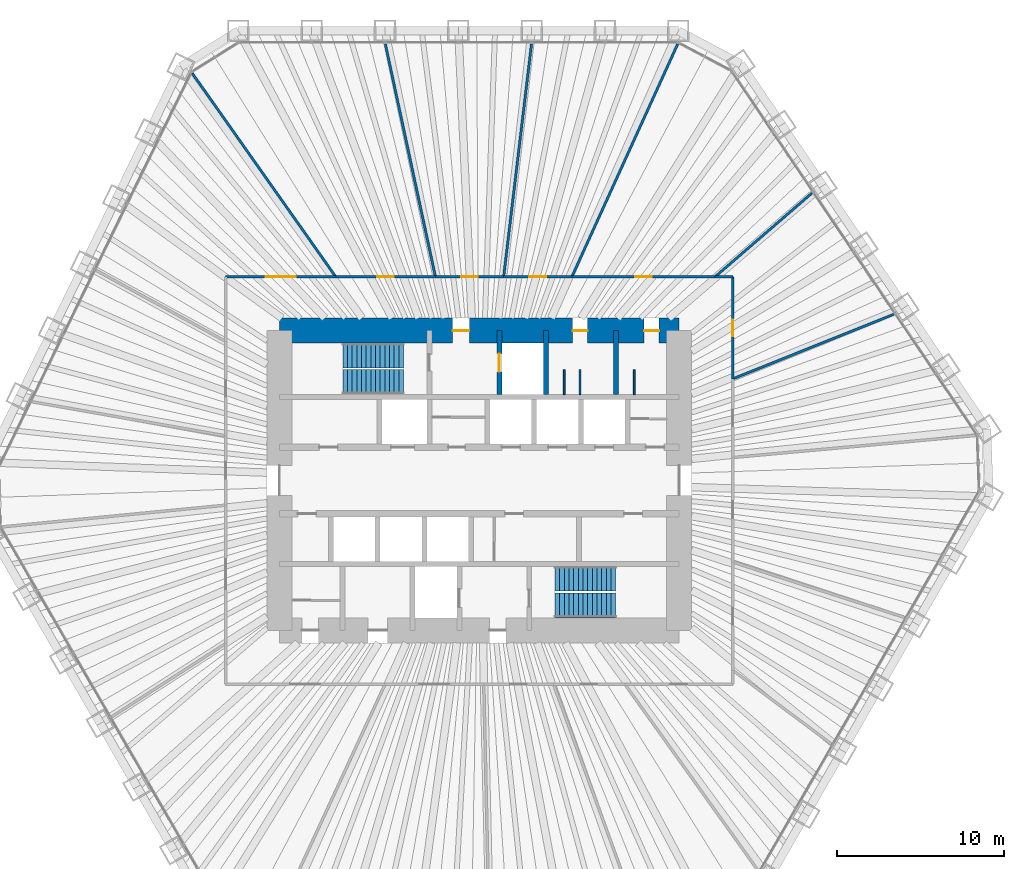
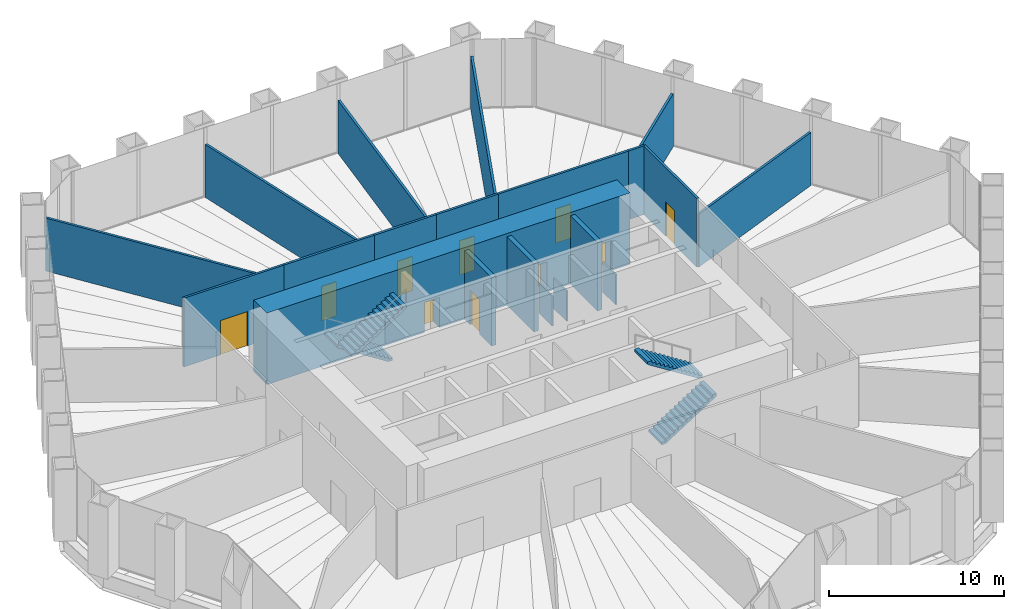
# One storey, part 12 of 13: 20 walls, 10 doors, 4 stair flights, 10 openings, 2 elements without a shape of their own.
"""IFC4 building model written with IfcOpenShell, lengths in metres."""

from ifc_helpers import new_model, si_unit, direction, frame, frame_2d, origin, place, context, subcontext, project, spatial, polyline, rectangle, outline, extrude, material, layer, layer_set, type_object, element, fill, aggregate, save


model = new_model("IFC4")

# Units and contexts
model_context = context("Model", 3, precision=1e-05, world=origin(), true_north=direction((0.0, 1.0)))
body_context = subcontext(model_context, "Body", "Model", "MODEL_VIEW")
ifc_project = project(units=[si_unit("LENGTHUNIT", "METRE"), si_unit("AREAUNIT", "SQUARE_METRE"), si_unit("VOLUMEUNIT", "CUBIC_METRE"), si_unit("PLANEANGLEUNIT", "RADIAN"), si_unit("MASSUNIT", "GRAM", prefix="KILO")], contexts=[model_context])

# Site, building, storey
site_placement = place(None, origin())
site = spatial("IfcSite", under=ifc_project, at=site_placement, CompositionType="ELEMENT")
building_placement = place(site_placement, origin())
building = spatial("IfcBuilding", under=site, at=building_placement, Name="Qingtian Harvest Tower", CompositionType="ELEMENT")
storey_placement = place(building_placement, frame((0.0, 0.0, 67.0)))
storey = spatial("IfcBuildingStorey", under=building, at=storey_placement, Name="L13", CompositionType="ELEMENT", Elevation=67.0)

# Wall, opening, door
ifc_material_1 = material(Name="Precast concrete shaft panel", Category="concrete")
ifc_layer_1 = layer(ifc_material_1, 0.300048828125)
ifc_layer_set_1 = layer_set([ifc_layer_1], Name="Core shaft partition SW1 300")
wall_type_1 = type_object("IfcWallType", Name="Core shaft partition SW1 300", PredefinedType="PARTITIONING", material=ifc_layer_set_1)
wall_1_placement = place(storey_placement, frame((1.199951171875, 5.14990234375, 0.0), z_axis=(0.0, 0.0, 1.0), x_axis=(0.0, 1.0, 0.0)))
wall_1 = element("IfcWall", 1, at=wall_1_placement, inside=storey, type_object=wall_type_1, Name="Core shaft partition XN2 L13", PredefinedType="PARTITIONING", context=body_context, shape_type="SweptSolid", body=[
    extrude(rectangle(XDim=3.85009765625, YDim=0.300048828125, at=frame_2d((1.925048828125, 0.0))), origin(), (0.0, 0.0, 1.0), 4.780029296875),
])
opening_1_placement = place(wall_1_placement, frame((1.375, 0.0, 0.0)))
opening_1 = element("IfcOpeningElement", 2, at=opening_1_placement, cuts=wall_1, Name="Opening LD1", PredefinedType="OPENING", context=body_context, shape_type="SweptSolid", body=[
    extrude(rectangle(XDim=1.10009765625, YDim=2.39990234375, at=frame_2d((0.550048828125, 1.199951171875))), frame((0.0, 0.159912109375, 0.0), z_axis=(0.0, -1.0, 0.0), x_axis=(1.0, 0.0, 0.0)), (0.0, 0.0, 1.0), 0.320068359375),
])
ifc_material_2 = material(Name="Stainless steel lift landing door", Category="steel")
door_type_1 = type_object("IfcDoorType", Name="Lift landing door LD1 1 HR", OperationType="DOUBLE_DOOR_SLIDING", PredefinedType="DOOR", material=ifc_material_2)
door_1_placement = place(opening_1_placement, origin())
door_1 = element("IfcDoor", 3, at=door_1_placement, inside=storey, type_object=door_type_1, Name="FL1 landing door L13", OperationType="DOUBLE_DOOR_SLIDING", OverallHeight=2.39990234375, OverallWidth=1.10009765625, PredefinedType="DOOR", context=body_context, shape_type="SweptSolid", body=[
    extrude(rectangle(XDim=1.10009765625, YDim=2.39990234375, at=frame_2d((0.550048828125, 1.199951171875))), frame((0.0, 0.02490234375, 0.0), z_axis=(0.0, -1.0, 0.0), x_axis=(1.0, 0.0, 0.0)), (0.0, 0.0, 1.0), 0.050048828125),
])
fill(opening_1, door_1)

# Walls
for number, where, z_axis, x_axis, name in (
    (4, (4.0, 5.14990234375, 0.0), (0.0, 0.0, 1.0), (0.0, 1.0, 0.0), "Core shaft partition XN3 L13"),
    (5, (8.199951171875, 5.14990234375, 0.0), (0.0, 0.0, 1.0), (0.0, 1.0, 0.0), "Core shaft partition XN4 L13"),
):
    element("IfcWall", number, at=place(storey_placement, frame(where, z_axis=z_axis, x_axis=x_axis)), inside=storey, type_object=wall_type_1, Name=name, PredefinedType="PARTITIONING", context=body_context, shape_type="SweptSolid", body=[
        extrude(rectangle(XDim=3.85009765625, YDim=0.300048828125, at=frame_2d((1.925048828125, 0.0))), origin(), (0.0, 0.0, 1.0), 4.780029296875),
    ])

# Wall, openings, doors
ifc_material_3 = material(Name="Concrete fc' 70 MPa", Category="concrete")
ifc_layer_2 = layer(ifc_material_3, 1.5)
ifc_layer_set_2 = layer_set([ifc_layer_2], Name="Core wall RC1 1500")
wall_type_2 = type_object("IfcWallType", Name="Core wall RC1 1500", PredefinedType="SHEAR", material=ifc_layer_set_2)
wall_2_placement = place(storey_placement, frame((-12.0, 9.0, 0.0), z_axis=(0.0, 0.0, 1.0), x_axis=(1.0, 0.0, 0.0)))
wall_2 = element("IfcWall", 6, at=wall_2_placement, inside=storey, type_object=wall_type_2, Name="Core wall CN L13", PredefinedType="SHEAR", context=body_context, shape_type="SweptSolid", body=[
    extrude(rectangle(XDim=24.0, YDim=1.5, at=frame_2d((12.0, 0.0))), origin(), (0.0, 0.0, 1.0), 5.0),
])
opening_2_placement = place(wall_2_placement, frame((10.39990234375, 0.0, 0.0)))
opening_2 = element("IfcOpeningElement", 7, at=opening_2_placement, cuts=wall_2, Name="Opening FD1", PredefinedType="OPENING", context=body_context, shape_type="SweptSolid", body=[
    extrude(rectangle(XDim=1.0, YDim=2.10009765625, at=frame_2d((0.5, 1.050048828125))), frame((0.0, 0.760009765625, 0.0), z_axis=(0.0, -1.0, 0.0), x_axis=(1.0, 0.0, 0.0)), (0.0, 0.0, 1.0), 1.52001953125),
])
opening_3_placement = place(wall_2_placement, frame((17.60009765625, 0.0, 0.0)))
opening_3 = element("IfcOpeningElement", 8, at=opening_3_placement, cuts=wall_2, Name="Opening D1", PredefinedType="OPENING", context=body_context, shape_type="SweptSolid", body=[
    extrude(rectangle(XDim=0.89990234375, YDim=2.10009765625, at=frame_2d((0.449951171875, 1.050048828125))), frame((0.0, 0.760009765625, 0.0), z_axis=(0.0, -1.0, 0.0), x_axis=(1.0, 0.0, 0.0)), (0.0, 0.0, 1.0), 1.52001953125),
])
opening_4_placement = place(wall_2_placement, frame((21.89990234375, 0.0, 0.0)))
opening_4 = element("IfcOpeningElement", 9, at=opening_4_placement, cuts=wall_2, Name="Opening D1", PredefinedType="OPENING", context=body_context, shape_type="SweptSolid", body=[
    extrude(rectangle(XDim=0.89990234375, YDim=2.10009765625, at=frame_2d((0.449951171875, 1.050048828125))), frame((0.0, 0.760009765625, 0.0), z_axis=(0.0, -1.0, 0.0), x_axis=(1.0, 0.0, 0.0)), (0.0, 0.0, 1.0), 1.52001953125),
])
ifc_material_4 = material(Name="Steel-faced door leaf", Category="steel")
door_type_2 = type_object("IfcDoorType", Name="Fire door FD1 single 1 HR", OperationType="SINGLE_SWING_LEFT", PredefinedType="DOOR", material=ifc_material_4)
door_2_placement = place(opening_2_placement, origin())
door_2 = element("IfcDoor", 10, at=door_2_placement, inside=storey, type_object=door_type_2, Name="V1 door L13", OperationType="SINGLE_SWING_LEFT", OverallHeight=2.10009765625, OverallWidth=1.0, PredefinedType="DOOR", context=body_context, shape_type="SweptSolid", body=[
    extrude(rectangle(XDim=1.0, YDim=2.10009765625, at=frame_2d((0.5, 1.050048828125))), frame((0.0, 0.02490234375, 0.0), z_axis=(0.0, -1.0, 0.0), x_axis=(1.0, 0.0, 0.0)), (0.0, 0.0, 1.0), 0.050048828125),
])
fill(opening_2, door_2)
ifc_material_5 = material(Name="Laminated timber door leaf", Category="wood")
door_type_3 = type_object("IfcDoorType", Name="Toilet door D1 single", OperationType="SINGLE_SWING_LEFT", PredefinedType="DOOR", material=ifc_material_5)
door_3_placement = place(opening_3_placement, origin())
door_3 = element("IfcDoor", 11, at=door_3_placement, inside=storey, type_object=door_type_3, Name="WCM door L13", OperationType="SINGLE_SWING_RIGHT", OverallHeight=2.10009765625, OverallWidth=0.89990234375, PredefinedType="DOOR", context=body_context, shape_type="SweptSolid", body=[
    extrude(rectangle(XDim=0.89990234375, YDim=2.10009765625, at=frame_2d((0.449951171875, 1.050048828125))), frame((0.0, 0.02490234375, 0.0), z_axis=(0.0, -1.0, 0.0), x_axis=(1.0, 0.0, 0.0)), (0.0, 0.0, 1.0), 0.050048828125),
])
fill(opening_3, door_3)
door_4_placement = place(opening_4_placement, origin())
door_4 = element("IfcDoor", 12, at=door_4_placement, inside=storey, type_object=door_type_3, Name="WCF door L13", OperationType="SINGLE_SWING_RIGHT", OverallHeight=2.10009765625, OverallWidth=0.89990234375, PredefinedType="DOOR", context=body_context, shape_type="SweptSolid", body=[
    extrude(rectangle(XDim=0.89990234375, YDim=2.10009765625, at=frame_2d((0.449951171875, 1.050048828125))), frame((0.0, 0.02490234375, 0.0), z_axis=(0.0, -1.0, 0.0), x_axis=(1.0, 0.0, 0.0)), (0.0, 0.0, 1.0), 0.050048828125),
])
fill(opening_4, door_4)

# Wall
ifc_material_6 = material(Name="Gypsum board on steel studs", Category="steel")
ifc_layer_3 = layer(ifc_material_6, 0.14990234375)
ifc_layer_set_3 = layer_set([ifc_layer_3], Name="Partition PT1 150")
wall_type_3 = type_object("IfcWallType", Name="Partition PT1 150", PredefinedType="PARTITIONING", material=ifc_layer_set_3)
wall_3_placement = place(storey_placement, frame((11.914794921875, 26.208984375, 0.0), z_axis=(0.0, 0.0, 1.0), x_axis=(-0.413849644385, -0.910345248707, 0.0)))
element("IfcWall", 13, at=wall_3_placement, inside=storey, type_object=wall_type_3, Name="Mushroom growing room wall L13", PredefinedType="PARTITIONING", context=body_context, shape_type="SweptSolid", body=[
    extrude(rectangle(XDim=15.361083984375, YDim=0.14990234375, at=frame_2d((7.6806640625, 0.0))), origin(), (0.0, 0.0, 1.0), 3.699951171875),
])

# Wall, opening, door
wall_4_placement = place(storey_placement, frame((5.5576171875, 12.22509765625, 0.0), z_axis=(0.0, 0.0, 1.0), x_axis=(1.0, 0.0, 0.0)))
wall_4 = element("IfcWall", 14, at=wall_4_placement, inside=storey, type_object=wall_type_3, Name="Mushroom growing room wall L13", PredefinedType="PARTITIONING", context=body_context, shape_type="SweptSolid", body=[
    extrude(rectangle(XDim=8.593505859375, YDim=0.14990234375, at=frame_2d((4.296875, 0.0))), origin(), (0.0, 0.0, 1.0), 4.800048828125),
])
opening_5_placement = place(wall_4_placement, frame((3.796875, 0.0, 0.0)))
opening_5 = element("IfcOpeningElement", 15, at=opening_5_placement, cuts=wall_4, Name="Opening D2", PredefinedType="OPENING", context=body_context, shape_type="SweptSolid", body=[
    extrude(rectangle(XDim=1.0, YDim=2.39990234375, at=frame_2d((0.5, 1.199951171875))), frame((0.0, 0.0849609375, 0.0), z_axis=(0.0, -1.0, 0.0), x_axis=(1.0, 0.0, 0.0)), (0.0, 0.0, 1.0), 0.169921875),
])
ifc_material_7 = material(Name="Laminated timber door leaf", Category="wood")
door_type_4 = type_object("IfcDoorType", Name="Room door D2 single", OperationType="SINGLE_SWING_LEFT", PredefinedType="DOOR", material=ifc_material_7)
door_5_placement = place(opening_5_placement, origin())
door_5 = element("IfcDoor", 16, at=door_5_placement, inside=storey, type_object=door_type_4, Name="Mushroom growing room door L13", OperationType="SINGLE_SWING_LEFT", OverallHeight=2.39990234375, OverallWidth=1.0, PredefinedType="DOOR", context=body_context, shape_type="SweptSolid", body=[
    extrude(rectangle(XDim=1.0, YDim=2.39990234375, at=frame_2d((0.5, 1.199951171875))), frame((0.0, 0.02490234375, 0.0), z_axis=(0.0, -1.0, 0.0), x_axis=(1.0, 0.0, 0.0)), (0.0, 0.0, 1.0), 0.050048828125),
])
fill(opening_5, door_5)

# Walls
wall_5_placement = place(storey_placement, frame((19.96826171875, 17.250244140625, 0.0), z_axis=(0.0, 0.0, 1.0), x_axis=(-0.756742305634, -0.653713303264, 0.0)))
element("IfcWall", 17, at=wall_5_placement, inside=storey, type_object=wall_type_3, Name="Mushroom growing room wall L13", PredefinedType="PARTITIONING", context=body_context, shape_type="SweptSolid", body=[
    extrude(rectangle(XDim=7.68701171875, YDim=0.14990234375, at=frame_2d((3.843505859375, 0.0))), origin(), (0.0, 0.0, 1.0), 3.699951171875),
])
wall_6_placement = place(storey_placement, frame((14.151123046875, 12.22509765625, 0.0), z_axis=(0.0, 0.0, 1.0), x_axis=(1.0, 0.0, 0.0)))
element("IfcWall", 18, at=wall_6_placement, inside=storey, type_object=wall_type_3, Name="Mushroom growing room wall L13", PredefinedType="PARTITIONING", context=body_context, shape_type="SweptSolid", body=[
    extrude(rectangle(XDim=1.073974609375, YDim=0.14990234375, at=frame_2d((0.537109375, 0.0))), origin(), (0.0, 0.0, 1.0), 4.800048828125),
])

# Wall, opening, door
wall_7_placement = place(storey_placement, frame((15.22509765625, 12.22509765625, 0.0), z_axis=(0.0, 0.0, 1.0), x_axis=(0.0, -1.0, 0.0)))
wall_7 = element("IfcWall", 19, at=wall_7_placement, inside=storey, type_object=wall_type_3, Name="Mushroom growing room wall L13", PredefinedType="PARTITIONING", context=body_context, shape_type="SweptSolid", body=[
    extrude(rectangle(XDim=6.1201171875, YDim=0.14990234375, at=frame_2d((3.06005859375, 0.0))), origin(), (0.0, 0.0, 1.0), 4.800048828125),
])
opening_6_placement = place(wall_7_placement, frame((2.56005859375, 0.0, 0.0)))
opening_6 = element("IfcOpeningElement", 20, at=opening_6_placement, cuts=wall_7, Name="Opening D2", PredefinedType="OPENING", context=body_context, shape_type="SweptSolid", body=[
    extrude(rectangle(XDim=1.0, YDim=2.39990234375, at=frame_2d((0.5, 1.199951171875))), frame((0.0, 0.0849609375, 0.0), z_axis=(0.0, -1.0, 0.0), x_axis=(1.0, 0.0, 0.0)), (0.0, 0.0, 1.0), 0.169921875),
])
door_6_placement = place(opening_6_placement, origin())
door_6 = element("IfcDoor", 21, at=door_6_placement, inside=storey, type_object=door_type_4, Name="Mushroom growing room door L13", OperationType="SINGLE_SWING_RIGHT", OverallHeight=2.39990234375, OverallWidth=1.0, PredefinedType="DOOR", context=body_context, shape_type="SweptSolid", body=[
    extrude(rectangle(XDim=1.0, YDim=2.39990234375, at=frame_2d((0.5, 1.199951171875))), frame((0.0, 0.02490234375, 0.0), z_axis=(0.0, -1.0, 0.0), x_axis=(1.0, 0.0, 0.0)), (0.0, 0.0, 1.0), 0.050048828125),
])
fill(opening_6, door_6)

# Wall
wall_8_placement = place(storey_placement, frame((24.877197265625, 9.975341796875, 0.0), z_axis=(0.0, 0.0, 1.0), x_axis=(-0.928160631083, -0.372179852904, 0.0)))
element("IfcWall", 22, at=wall_8_placement, inside=storey, type_object=wall_type_3, Name="Mushroom growing room wall L13", PredefinedType="PARTITIONING", context=body_context, shape_type="SweptSolid", body=[
    extrude(rectangle(XDim=10.399169921875, YDim=0.14990234375, at=frame_2d((5.19970703125, 0.0))), origin(), (0.0, 0.0, 1.0), 3.699951171875),
])

# Wall, opening, door
wall_9_placement = place(storey_placement, frame((-15.22509765625, 12.22509765625, 0.0), z_axis=(0.0, 0.0, 1.0), x_axis=(1.0, 0.0, 0.0)))
wall_9 = element("IfcWall", 23, at=wall_9_placement, inside=storey, type_object=wall_type_3, Name="Mushroom growing room wall L13", PredefinedType="PARTITIONING", context=body_context, shape_type="SweptSolid", body=[
    extrude(rectangle(XDim=6.608154296875, YDim=0.14990234375, at=frame_2d((3.30419921875, 0.0))), origin(), (0.0, 0.0, 1.0), 4.800048828125),
])
opening_7_placement = place(wall_9_placement, frame((2.404052734375, 0.0, 0.0)))
opening_7 = element("IfcOpeningElement", 24, at=opening_7_placement, cuts=wall_9, Name="Opening D3", PredefinedType="OPENING", context=body_context, shape_type="SweptSolid", body=[
    extrude(rectangle(XDim=1.800048828125, YDim=2.39990234375, at=frame_2d((0.89990234375, 1.199951171875))), frame((0.0, 0.0849609375, 0.0), z_axis=(0.0, -1.0, 0.0), x_axis=(1.0, 0.0, 0.0)), (0.0, 0.0, 1.0), 0.169921875),
])
ifc_material_8 = material(Name="Laminated timber door leaf", Category="wood")
door_type_5 = type_object("IfcDoorType", Name="Room door D3 double", OperationType="DOUBLE_DOOR_DOUBLE_SWING", PredefinedType="DOOR", material=ifc_material_8)
door_7_placement = place(opening_7_placement, origin())
door_7 = element("IfcDoor", 25, at=door_7_placement, inside=storey, type_object=door_type_5, Name="Mushroom growing room door L13", OperationType="DOUBLE_DOOR_DOUBLE_SWING", OverallHeight=2.39990234375, OverallWidth=1.800048828125, PredefinedType="DOOR", context=body_context, shape_type="SweptSolid", body=[
    extrude(rectangle(XDim=1.800048828125, YDim=2.39990234375, at=frame_2d((0.89990234375, 1.199951171875))), frame((0.0, 0.02490234375, 0.0), z_axis=(0.0, -1.0, 0.0), x_axis=(1.0, 0.0, 0.0)), (0.0, 0.0, 1.0), 0.050048828125),
])
fill(opening_7, door_7)

# Wall
wall_10_placement = place(storey_placement, frame((-17.23681640625, 24.454345703125, 0.0), z_axis=(0.0, 0.0, 1.0), x_axis=(0.576123781225, -0.817362458587, 0.0)))
element("IfcWall", 26, at=wall_10_placement, inside=storey, type_object=wall_type_3, Name="Harvest wash room wall L13", PredefinedType="PARTITIONING", context=body_context, shape_type="SweptSolid", body=[
    extrude(rectangle(XDim=14.9619140625, YDim=0.14990234375, at=frame_2d((7.48095703125, 0.0))), origin(), (0.0, 0.0, 1.0), 3.699951171875),
])

# Wall, opening, door
wall_11_placement = place(storey_placement, frame((-8.616943359375, 12.22509765625, 0.0), z_axis=(0.0, 0.0, 1.0), x_axis=(1.0, 0.0, 0.0)))
wall_11 = element("IfcWall", 27, at=wall_11_placement, inside=storey, type_object=wall_type_3, Name="Harvest wash room wall L13", PredefinedType="PARTITIONING", context=body_context, shape_type="SweptSolid", body=[
    extrude(rectangle(XDim=5.98486328125, YDim=0.14990234375, at=frame_2d((2.992431640625, 0.0))), origin(), (0.0, 0.0, 1.0), 4.800048828125),
])
opening_8_placement = place(wall_11_placement, frame((2.492431640625, 0.0, 0.0)))
opening_8 = element("IfcOpeningElement", 28, at=opening_8_placement, cuts=wall_11, Name="Opening D2", PredefinedType="OPENING", context=body_context, shape_type="SweptSolid", body=[
    extrude(rectangle(XDim=1.0, YDim=2.39990234375, at=frame_2d((0.5, 1.199951171875))), frame((0.0, 0.0849609375, 0.0), z_axis=(0.0, -1.0, 0.0), x_axis=(1.0, 0.0, 0.0)), (0.0, 0.0, 1.0), 0.169921875),
])
door_8_placement = place(opening_8_placement, origin())
door_8 = element("IfcDoor", 29, at=door_8_placement, inside=storey, type_object=door_type_4, Name="Harvest wash room door L13", OperationType="SINGLE_SWING_RIGHT", OverallHeight=2.39990234375, OverallWidth=1.0, PredefinedType="DOOR", context=body_context, shape_type="SweptSolid", body=[
    extrude(rectangle(XDim=1.0, YDim=2.39990234375, at=frame_2d((0.5, 1.199951171875))), frame((0.0, 0.02490234375, 0.0), z_axis=(0.0, -1.0, 0.0), x_axis=(1.0, 0.0, 0.0)), (0.0, 0.0, 1.0), 0.050048828125),
])
fill(opening_8, door_8)

# Wall
wall_12_placement = place(storey_placement, frame((-5.64111328125, 26.2021484375, 0.0), z_axis=(0.0, 0.0, 1.0), x_axis=(0.21046192705, -0.977602054653, 0.0)))
element("IfcWall", 30, at=wall_12_placement, inside=storey, type_object=wall_type_3, Name="Spawn store wall L13", PredefinedType="PARTITIONING", context=body_context, shape_type="SweptSolid", body=[
    extrude(rectangle(XDim=14.29736328125, YDim=0.14990234375, at=frame_2d((7.148681640625, 0.0))), origin(), (0.0, 0.0, 1.0), 3.699951171875),
])

# Wall, opening, door
wall_13_placement = place(storey_placement, frame((-2.632080078125, 12.22509765625, 0.0), z_axis=(0.0, 0.0, 1.0), x_axis=(1.0, 0.0, 0.0)))
wall_13 = element("IfcWall", 31, at=wall_13_placement, inside=storey, type_object=wall_type_3, Name="Spawn store wall L13", PredefinedType="PARTITIONING", context=body_context, shape_type="SweptSolid", body=[
    extrude(rectangle(XDim=4.094970703125, YDim=0.14990234375, at=frame_2d((2.04736328125, 0.0))), origin(), (0.0, 0.0, 1.0), 4.800048828125),
])
opening_9_placement = place(wall_13_placement, frame((1.54736328125, 0.0, 0.0)))
opening_9 = element("IfcOpeningElement", 32, at=opening_9_placement, cuts=wall_13, Name="Opening D2", PredefinedType="OPENING", context=body_context, shape_type="SweptSolid", body=[
    extrude(rectangle(XDim=1.0, YDim=2.39990234375, at=frame_2d((0.5, 1.199951171875))), frame((0.0, 0.0849609375, 0.0), z_axis=(0.0, -1.0, 0.0), x_axis=(1.0, 0.0, 0.0)), (0.0, 0.0, 1.0), 0.169921875),
])
door_9_placement = place(opening_9_placement, origin())
door_9 = element("IfcDoor", 33, at=door_9_placement, inside=storey, type_object=door_type_4, Name="Spawn store door L13", OperationType="SINGLE_SWING_LEFT", OverallHeight=2.39990234375, OverallWidth=1.0, PredefinedType="DOOR", context=body_context, shape_type="SweptSolid", body=[
    extrude(rectangle(XDim=1.0, YDim=2.39990234375, at=frame_2d((0.5, 1.199951171875))), frame((0.0, 0.02490234375, 0.0), z_axis=(0.0, -1.0, 0.0), x_axis=(1.0, 0.0, 0.0)), (0.0, 0.0, 1.0), 0.050048828125),
])
fill(opening_9, door_9)

# Wall
wall_14_placement = place(storey_placement, frame((3.135009765625, 26.20068359375, 0.0), z_axis=(0.0, 0.0, 1.0), x_axis=(-0.118798442734, -0.992918390405, 0.0)))
element("IfcWall", 34, at=wall_14_placement, inside=storey, type_object=wall_type_3, Name="Packing room wall L13", PredefinedType="PARTITIONING", context=body_context, shape_type="SweptSolid", body=[
    extrude(rectangle(XDim=14.0751953125, YDim=0.14990234375, at=frame_2d((7.03759765625, 0.0))), origin(), (0.0, 0.0, 1.0), 3.699951171875),
])

# Wall, opening, door
wall_15_placement = place(storey_placement, frame((1.462890625, 12.22509765625, 0.0), z_axis=(0.0, 0.0, 1.0), x_axis=(1.0, 0.0, 0.0)))
wall_15 = element("IfcWall", 35, at=wall_15_placement, inside=storey, type_object=wall_type_3, Name="Packing room wall L13", PredefinedType="PARTITIONING", context=body_context, shape_type="SweptSolid", body=[
    extrude(rectangle(XDim=4.0947265625, YDim=0.14990234375, at=frame_2d((2.04736328125, 0.0))), origin(), (0.0, 0.0, 1.0), 4.800048828125),
])
opening_10_placement = place(wall_15_placement, frame((1.54736328125, 0.0, 0.0)))
opening_10 = element("IfcOpeningElement", 36, at=opening_10_placement, cuts=wall_15, Name="Opening D2", PredefinedType="OPENING", context=body_context, shape_type="SweptSolid", body=[
    extrude(rectangle(XDim=1.0, YDim=2.39990234375, at=frame_2d((0.5, 1.199951171875))), frame((0.0, 0.0849609375, 0.0), z_axis=(0.0, -1.0, 0.0), x_axis=(1.0, 0.0, 0.0)), (0.0, 0.0, 1.0), 0.169921875),
])
door_10_placement = place(opening_10_placement, origin())
door_10 = element("IfcDoor", 37, at=door_10_placement, inside=storey, type_object=door_type_4, Name="Packing room door L13", OperationType="SINGLE_SWING_LEFT", OverallHeight=2.39990234375, OverallWidth=1.0, PredefinedType="DOOR", context=body_context, shape_type="SweptSolid", body=[
    extrude(rectangle(XDim=1.0, YDim=2.39990234375, at=frame_2d((0.5, 1.199951171875))), frame((0.0, 0.02490234375, 0.0), z_axis=(0.0, -1.0, 0.0), x_axis=(1.0, 0.0, 0.0)), (0.0, 0.0, 1.0), 0.050048828125),
])
fill(opening_10, door_10)

# Walls
ifc_material_9 = material(Name="Compact laminate cubicle partition", Category="plastic")
ifc_layer_4 = layer(ifc_material_9, 0.10009765625)
ifc_layer_set_4 = layer_set([ifc_layer_4], Name="WC cubicle partition WP1 100")
wall_type_4 = type_object("IfcWallType", Name="WC cubicle partition WP1 100", PredefinedType="PARTITIONING", material=ifc_layer_set_4)
for number, where, z_axis, x_axis, name in (
    (38, (5.10009765625, 5.14990234375, 0.0), (0.0, 0.0, 1.0), (0.0, 1.0, 0.0), "WC cubicle partition WCM L13"),
    (39, (6.050048828125, 5.14990234375, 0.0), (0.0, 0.0, 1.0), (0.0, 1.0, 0.0), "WC cubicle partition WCM L13"),
    (40, (9.300048828125, 5.14990234375, 0.0), (0.0, 0.0, 1.0), (0.0, 1.0, 0.0), "WC cubicle partition WCF L13"),
):
    element("IfcWall", number, at=place(storey_placement, frame(where, z_axis=z_axis, x_axis=x_axis)), inside=storey, type_object=wall_type_4, Name=name, PredefinedType="PARTITIONING", context=body_context, shape_type="SweptSolid", body=[
        extrude(rectangle(XDim=1.5, YDim=0.10009765625, at=frame_2d((0.75, 0.0))), origin(), (0.0, 0.0, 1.0), 2.10009765625),
    ])

# Stair, stair flights
ifc_material_10 = material(Name="Concrete fc' 35 MPa", Category="concrete")
stair_type = type_object("IfcStairType", Name="Special stair ST2 5000", PredefinedType="HALF_TURN_STAIR", material=ifc_material_10)
stair_1_placement = place(storey_placement, origin())
stair_1 = element("IfcStair", 41, at=stair_1_placement, inside=storey, type_object=stair_type, Name="Special stair S1 L13", PredefinedType="HALF_TURN_STAIR")
ifc_material_11 = material(Name="Concrete fc' 35 MPa", Category="concrete")
stair_flight_type = type_object("IfcStairFlightType", Name="Stair flight SF2 5000", PredefinedType="STRAIGHT", material=ifc_material_11)
stair_flight_1_placement = place(storey_placement, frame((-4.550048828125, 7.5, 0.0), z_axis=(0.0, 0.0, 1.0), x_axis=(-1.0, 0.0, 0.0)))
stair_flight_1 = element("IfcStairFlight", 42, at=stair_flight_1_placement, type_object=stair_flight_type, Name="S1 flight 1", NumberOfRisers=14, NumberOfTreads=13, PredefinedType="STRAIGHT", RiserHeight=0.178571429, TreadLength=0.28, context=body_context, shape_type="SweptSolid", body=[
    extrude(outline(polyline([(0.0, 0.0), (0.0, 0.178466796875), (0.280029296875, 0.178466796875), (0.280029296875, 0.357177734375), (0.56005859375, 0.357177734375), (0.56005859375, 0.53564453125), (0.840087890625, 0.53564453125), (0.840087890625, 0.71435546875), (1.1201171875, 0.71435546875), (1.1201171875, 0.892822265625), (1.39990234375, 0.892822265625), (1.39990234375, 1.071533203125), (1.679931640625, 1.071533203125), (1.679931640625, 1.25), (1.9599609375, 1.25), (1.9599609375, 1.428466796875), (2.239990234375, 1.428466796875), (2.239990234375, 1.607177734375), (2.52001953125, 1.607177734375), (2.52001953125, 1.78564453125), (2.800048828125, 1.78564453125), (2.800048828125, 1.96435546875), (3.080078125, 1.96435546875), (3.080078125, 2.142822265625), (3.360107421875, 2.142822265625), (3.360107421875, 2.321533203125), (3.639892578125, 2.321533203125), (3.639892578125, 2.5), (3.639892578125, 2.1435546875), (0.27880859375, 0.0), (0.0, 0.0)])), frame((0.0, 0.75, 0.0), z_axis=(0.0, -1.0, 0.0), x_axis=(1.0, 0.0, 0.0)), (0.0, 0.0, 1.0), 1.5),
])
stair_flight_2_placement = place(storey_placement, frame((-8.18994140625, 5.89990234375, 2.5), z_axis=(0.0, 0.0, 1.0), x_axis=(1.0, 0.0, 0.0)))
stair_flight_2 = element("IfcStairFlight", 43, at=stair_flight_2_placement, type_object=stair_flight_type, Name="S1 flight 2", NumberOfRisers=14, NumberOfTreads=13, PredefinedType="STRAIGHT", RiserHeight=0.178571429, TreadLength=0.28, context=body_context, shape_type="SweptSolid", body=[
    extrude(outline(polyline([(0.0, 0.0), (0.0, 0.178466796875), (0.280029296875, 0.178466796875), (0.280029296875, 0.357177734375), (0.56005859375, 0.357177734375), (0.56005859375, 0.53564453125), (0.840087890625, 0.53564453125), (0.840087890625, 0.71435546875), (1.1201171875, 0.71435546875), (1.1201171875, 0.892822265625), (1.39990234375, 0.892822265625), (1.39990234375, 1.071533203125), (1.679931640625, 1.071533203125), (1.679931640625, 1.25), (1.9599609375, 1.25), (1.9599609375, 1.428466796875), (2.239990234375, 1.428466796875), (2.239990234375, 1.607177734375), (2.52001953125, 1.607177734375), (2.52001953125, 1.78564453125), (2.800048828125, 1.78564453125), (2.800048828125, 1.96435546875), (3.080078125, 1.96435546875), (3.080078125, 2.142822265625), (3.360107421875, 2.142822265625), (3.360107421875, 2.321533203125), (3.639892578125, 2.321533203125), (3.639892578125, 2.5), (3.639892578125, 2.1435546875), (0.27880859375, 0.0), (0.0, 0.0)])), frame((0.0, 0.75, 0.0), z_axis=(0.0, -1.0, 0.0), x_axis=(1.0, 0.0, 0.0)), (0.0, 0.0, 1.0), 1.5),
])
aggregate(stair_1, [stair_flight_1, stair_flight_2])

stair_2_placement = place(storey_placement, origin())
stair_2 = element("IfcStair", 44, at=stair_2_placement, inside=storey, type_object=stair_type, Name="Special stair S2 L13", PredefinedType="HALF_TURN_STAIR")
stair_flight_3_placement = place(storey_placement, frame((4.550048828125, -7.5, 0.0), z_axis=(0.0, 0.0, 1.0), x_axis=(1.0, 0.0, 0.0)))
stair_flight_3 = element("IfcStairFlight", 45, at=stair_flight_3_placement, type_object=stair_flight_type, Name="S2 flight 1", NumberOfRisers=14, NumberOfTreads=13, PredefinedType="STRAIGHT", RiserHeight=0.178571429, TreadLength=0.28, context=body_context, shape_type="SweptSolid", body=[
    extrude(outline(polyline([(0.0, 0.0), (0.0, 0.178466796875), (0.280029296875, 0.178466796875), (0.280029296875, 0.357177734375), (0.56005859375, 0.357177734375), (0.56005859375, 0.53564453125), (0.840087890625, 0.53564453125), (0.840087890625, 0.71435546875), (1.1201171875, 0.71435546875), (1.1201171875, 0.892822265625), (1.39990234375, 0.892822265625), (1.39990234375, 1.071533203125), (1.679931640625, 1.071533203125), (1.679931640625, 1.25), (1.9599609375, 1.25), (1.9599609375, 1.428466796875), (2.239990234375, 1.428466796875), (2.239990234375, 1.607177734375), (2.52001953125, 1.607177734375), (2.52001953125, 1.78564453125), (2.800048828125, 1.78564453125), (2.800048828125, 1.96435546875), (3.080078125, 1.96435546875), (3.080078125, 2.142822265625), (3.360107421875, 2.142822265625), (3.360107421875, 2.321533203125), (3.639892578125, 2.321533203125), (3.639892578125, 2.5), (3.639892578125, 2.1435546875), (0.27880859375, 0.0), (0.0, 0.0)])), frame((0.0, 0.75, 0.0), z_axis=(0.0, -1.0, 0.0), x_axis=(1.0, 0.0, 0.0)), (0.0, 0.0, 1.0), 1.5),
])
stair_flight_4_placement = place(storey_placement, frame((8.18994140625, -5.89990234375, 2.5), z_axis=(0.0, 0.0, 1.0), x_axis=(-1.0, 0.0, 0.0)))
stair_flight_4 = element("IfcStairFlight", 46, at=stair_flight_4_placement, type_object=stair_flight_type, Name="S2 flight 2", NumberOfRisers=14, NumberOfTreads=13, PredefinedType="STRAIGHT", RiserHeight=0.178571429, TreadLength=0.28, context=body_context, shape_type="SweptSolid", body=[
    extrude(outline(polyline([(0.0, 0.0), (0.0, 0.178466796875), (0.280029296875, 0.178466796875), (0.280029296875, 0.357177734375), (0.56005859375, 0.357177734375), (0.56005859375, 0.53564453125), (0.840087890625, 0.53564453125), (0.840087890625, 0.71435546875), (1.1201171875, 0.71435546875), (1.1201171875, 0.892822265625), (1.39990234375, 0.892822265625), (1.39990234375, 1.071533203125), (1.679931640625, 1.071533203125), (1.679931640625, 1.25), (1.9599609375, 1.25), (1.9599609375, 1.428466796875), (2.239990234375, 1.428466796875), (2.239990234375, 1.607177734375), (2.52001953125, 1.607177734375), (2.52001953125, 1.78564453125), (2.800048828125, 1.78564453125), (2.800048828125, 1.96435546875), (3.080078125, 1.96435546875), (3.080078125, 2.142822265625), (3.360107421875, 2.142822265625), (3.360107421875, 2.321533203125), (3.639892578125, 2.321533203125), (3.639892578125, 2.5), (3.639892578125, 2.1435546875), (0.27880859375, 0.0), (0.0, 0.0)])), frame((0.0, 0.75, 0.0), z_axis=(0.0, -1.0, 0.0), x_axis=(1.0, 0.0, 0.0)), (0.0, 0.0, 1.0), 1.5),
])
aggregate(stair_2, [stair_flight_3, stair_flight_4])

save(model, "model.ifc")
